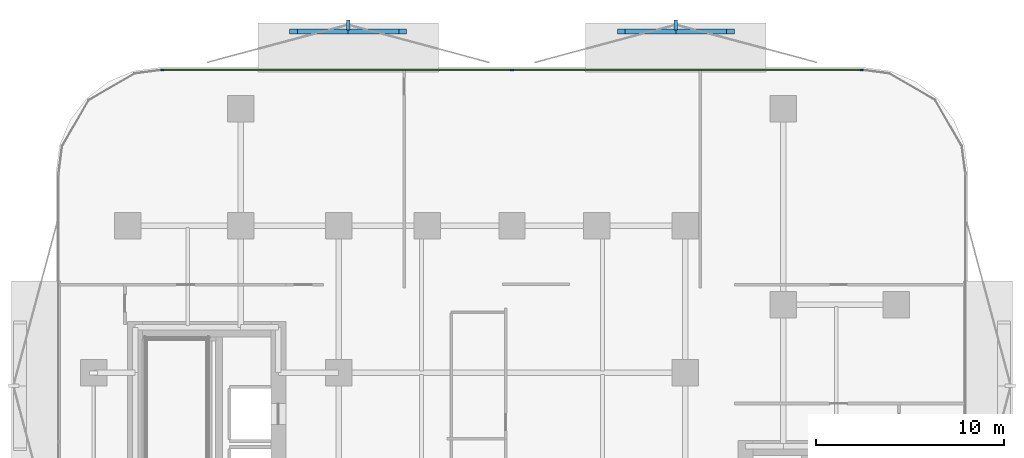
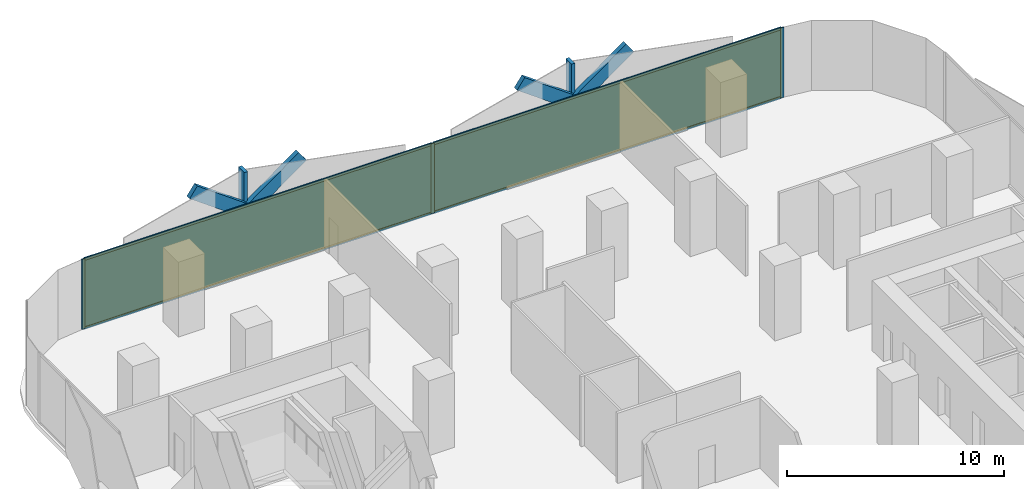
# One storey, part 11 of 16: 13 members, 2 plates, 1 curtain wall.
"""IFC4 building model written with IfcOpenShell, lengths in metres."""

from ifc_helpers import new_model, si_unit, direction, frame, frame_2d, origin, origin_2d, place, context, subcontext, project, spatial, rectangle, extrude, material, layer, layer_set, material_profile, profile_set, type_object, element, aggregate, save


model = new_model("IFC4")

# Units and contexts
model_context = context("Model", 3, precision=1e-05, world=origin(), true_north=direction((0.0, 1.0)))
body_context = subcontext(model_context, "Body", "Model", "MODEL_VIEW")
ifc_project = project(units=[si_unit("LENGTHUNIT", "METRE"), si_unit("AREAUNIT", "SQUARE_METRE"), si_unit("VOLUMEUNIT", "CUBIC_METRE"), si_unit("PLANEANGLEUNIT", "RADIAN"), si_unit("MASSUNIT", "GRAM", prefix="KILO")], contexts=[model_context])

# Member
ifc_material_1 = material(Name="Anodised Bronze Aluminium 6063-T6", Category="aluminium")
ifc_material_profile_1 = material_profile(ifc_material_1, rectangle(XDim=0.260009765625, YDim=0.699951171875, at=origin_2d()))
ifc_profile_set_1 = profile_set([ifc_material_profile_1], Name="Anodised Bronze Aluminium 6063-T6")
member_type_1 = type_object("IfcMemberType", Name="Bronze Diamond Solar-Screen Lattice Rib BDL-700", PredefinedType="MULLION", material=ifc_profile_set_1)
site_placement = place(None, origin())
building_placement = place(site_placement, origin())
storey_placement = place(building_placement, frame((0.0, 0.0, 42.800048828125)))
member_1_placement = place(storey_placement, frame((-11.593994140625, 28.89990234375, -0.130126953125), z_axis=(0.809790703172, 0.0, 0.586718856912), x_axis=(0.0, 1.0, 0.0)))
member_1 = element("IfcMember", 1, at=member_1_placement, type_object=member_type_1, Name="L10 Bronze Diamond Solar Screen Lattice Rib 37A", PredefinedType="MULLION", context=body_context, shape_type="SweptSolid", body=[
    extrude(rectangle(XDim=0.260009765625, YDim=0.699951171875, at=origin_2d()), origin(), (0.0, 0.0, 1.0), 7.15869140625),
])

member_2_placement = place(storey_placement, frame((-5.796875, 28.89990234375, -0.130126953125), z_axis=(-0.809790703172, 0.0, 0.586718856912), x_axis=(0.0, -1.0, 0.0)))
member_2 = element("IfcMember", 2, at=member_2_placement, type_object=member_type_1, Name="L10 Bronze Diamond Solar Screen Lattice Rib 37B", PredefinedType="MULLION", context=body_context, shape_type="SweptSolid", body=[
    extrude(rectangle(XDim=0.260009765625, YDim=0.699951171875, at=origin_2d()), origin(), (0.0, 0.0, 1.0), 7.15869140625),
])

member_3_placement = place(storey_placement, frame((5.796875, 28.89990234375, -0.130126953125), z_axis=(0.809790703172, 0.0, 0.586718856912), x_axis=(0.0, 1.0, 0.0)))
member_3 = element("IfcMember", 3, at=member_3_placement, type_object=member_type_1, Name="L10 Bronze Diamond Solar Screen Lattice Rib 38A", PredefinedType="MULLION", context=body_context, shape_type="SweptSolid", body=[
    extrude(rectangle(XDim=0.260009765625, YDim=0.699951171875, at=origin_2d()), origin(), (0.0, 0.0, 1.0), 7.15869140625),
])

member_4_placement = place(storey_placement, frame((11.593994140625, 28.89990234375, -0.130126953125), z_axis=(-0.809790703172, 0.0, 0.586718856912), x_axis=(0.0, -1.0, 0.0)))
member_4 = element("IfcMember", 4, at=member_4_placement, type_object=member_type_1, Name="L10 Bronze Diamond Solar Screen Lattice Rib 38B", PredefinedType="MULLION", context=body_context, shape_type="SweptSolid", body=[
    extrude(rectangle(XDim=0.260009765625, YDim=0.699951171875, at=origin_2d()), origin(), (0.0, 0.0, 1.0), 7.15869140625),
])

ifc_material_2 = material(Name="Anodised Bronze Aluminium 6063-T6", Category="aluminium")
ifc_material_profile_2 = material_profile(ifc_material_2, rectangle(XDim=0.179931640625, YDim=0.5400390625, at=origin_2d()))
ifc_profile_set_2 = profile_set([ifc_material_profile_2], Name="Anodised Bronze Aluminium 6063-T6")
member_type_2 = type_object("IfcMemberType", Name="Bronze Solar-Screen Vertical Fold Fin BSF-540", PredefinedType="MULLION", material=ifc_profile_set_2)
member_5_placement = place(storey_placement, frame((-8.6953125, 29.239990234375, -0.130126953125), z_axis=(0.0, 0.0, 1.0), x_axis=(1.0, 0.0, 0.0)))
member_5 = element("IfcMember", 5, at=member_5_placement, type_object=member_type_2, Name="L10 Bronze Solar Screen Vertical Fin 37", PredefinedType="MULLION", context=body_context, shape_type="SweptSolid", body=[
    extrude(rectangle(XDim=0.179931640625, YDim=0.5400390625, at=origin_2d()), origin(), (0.0, 0.0, 1.0), 4.2001953125),
])

member_6_placement = place(storey_placement, frame((8.6953125, 29.239990234375, -0.130126953125), z_axis=(0.0, 0.0, 1.0), x_axis=(1.0, 0.0, 0.0)))
member_6 = element("IfcMember", 6, at=member_6_placement, type_object=member_type_2, Name="L10 Bronze Solar Screen Vertical Fin 38", PredefinedType="MULLION", context=body_context, shape_type="SweptSolid", body=[
    extrude(rectangle(XDim=0.179931640625, YDim=0.5400390625, at=origin_2d()), origin(), (0.0, 0.0, 1.0), 4.2001953125),
])

ifc_material_3 = material(Name="Anodised Bronze Aluminium 6063-T6", Category="aluminium")
ifc_material_profile_3 = material_profile(ifc_material_3, rectangle(XDim=0.06494140625, YDim=0.179931640625, at=origin_2d()))
ifc_profile_set_3 = profile_set([ifc_material_profile_3], Name="Anodised Bronze Aluminium 6063-T6")
member_type_3 = type_object("IfcMemberType", Name="CW-Z1 Mullion 65x180", PredefinedType="MULLION", material=ifc_profile_set_3)
member_7_placement = place(storey_placement, frame((-18.558349609375, 26.860107421875, 0.0), z_axis=(0.0, 0.0, 1.0), x_axis=(0.0, 1.0, 0.0)))
member_7 = element("IfcMember", 7, at=member_7_placement, type_object=member_type_3, Name="CW-Z1 mullion 1", PredefinedType="MULLION", context=body_context, shape_type="SweptSolid", body=[
    extrude(rectangle(XDim=0.06494140625, YDim=0.179931640625, at=origin_2d()), origin(), (0.0, 0.0, 1.0), 3.93994140625),
])

member_8_placement = place(storey_placement, frame((0.0, 26.860107421875, 0.0), z_axis=(0.0, 0.0, 1.0), x_axis=(0.0, 1.0, 0.0)))
member_8 = element("IfcMember", 8, at=member_8_placement, type_object=member_type_3, Name="CW-Z1 mullion 2", PredefinedType="MULLION", context=body_context, shape_type="SweptSolid", body=[
    extrude(rectangle(XDim=0.06494140625, YDim=0.179931640625, at=origin_2d()), origin(), (0.0, 0.0, 1.0), 3.93994140625),
])

member_9_placement = place(storey_placement, frame((18.558349609375, 26.860107421875, 0.0), z_axis=(0.0, 0.0, 1.0), x_axis=(0.0, 1.0, 0.0)))
member_9 = element("IfcMember", 9, at=member_9_placement, type_object=member_type_3, Name="CW-Z1 mullion 3", PredefinedType="MULLION", context=body_context, shape_type="SweptSolid", body=[
    extrude(rectangle(XDim=0.06494140625, YDim=0.179931640625, at=origin_2d()), origin(), (0.0, 0.0, 1.0), 3.93994140625),
])

ifc_material_4 = material(Name="Anodised Bronze Aluminium 6063-T6", Category="aluminium")
ifc_material_profile_4 = material_profile(ifc_material_4, rectangle(XDim=0.06494140625, YDim=0.139892578125, at=origin_2d()))
ifc_profile_set_4 = profile_set([ifc_material_profile_4], Name="Anodised Bronze Aluminium 6063-T6")
member_type_4 = type_object("IfcMemberType", Name="CW-Z1 Transom 65x140", PredefinedType="USERDEFINED", material=ifc_profile_set_4)
member_10_placement = place(storey_placement, frame((-18.52587890625, 26.860107421875, 0.032470703125), z_axis=(1.0, 0.0, 0.0), x_axis=(0.0, 1.0, 0.0)))
member_10 = element("IfcMember", 10, at=member_10_placement, type_object=member_type_4, Name="CW-Z1 transom 1.1", ObjectType="TRANSOM", PredefinedType="USERDEFINED", context=body_context, shape_type="SweptSolid", body=[
    extrude(rectangle(XDim=0.06494140625, YDim=0.139892578125, at=origin_2d()), origin(), (0.0, 0.0, 1.0), 18.493408203125),
])

member_11_placement = place(storey_placement, frame((-18.52587890625, 26.860107421875, 3.907470703125), z_axis=(1.0, 0.0, 0.0), x_axis=(0.0, 1.0, 0.0)))
member_11 = element("IfcMember", 11, at=member_11_placement, type_object=member_type_4, Name="CW-Z1 transom 1.2", ObjectType="TRANSOM", PredefinedType="USERDEFINED", context=body_context, shape_type="SweptSolid", body=[
    extrude(rectangle(XDim=0.06494140625, YDim=0.139892578125, at=origin_2d()), origin(), (0.0, 0.0, 1.0), 18.493408203125),
])

member_12_placement = place(storey_placement, frame((0.032470703125, 26.860107421875, 0.032470703125), z_axis=(1.0, 0.0, 0.0), x_axis=(0.0, 1.0, 0.0)))
member_12 = element("IfcMember", 12, at=member_12_placement, type_object=member_type_4, Name="CW-Z1 transom 2.1", ObjectType="TRANSOM", PredefinedType="USERDEFINED", context=body_context, shape_type="SweptSolid", body=[
    extrude(rectangle(XDim=0.06494140625, YDim=0.139892578125, at=origin_2d()), origin(), (0.0, 0.0, 1.0), 18.493408203125),
])

member_13_placement = place(storey_placement, frame((0.032470703125, 26.860107421875, 3.907470703125), z_axis=(1.0, 0.0, 0.0), x_axis=(0.0, 1.0, 0.0)))
member_13 = element("IfcMember", 13, at=member_13_placement, type_object=member_type_4, Name="CW-Z1 transom 2.2", ObjectType="TRANSOM", PredefinedType="USERDEFINED", context=body_context, shape_type="SweptSolid", body=[
    extrude(rectangle(XDim=0.06494140625, YDim=0.139892578125, at=origin_2d()), origin(), (0.0, 0.0, 1.0), 18.493408203125),
])

# Plate
ifc_material_5 = material(Name="Low-E Solar Control Laminated Glass", Category="glass")
ifc_layer_1 = layer(ifc_material_5, 0.028076171875, Name="Low-E Solar Control Laminated Glass")
ifc_layer_set_1 = layer_set([ifc_layer_1], Name="Low-E Solar Control Laminated Glass")
plate_type = type_object("IfcPlateType", Name="CW-Z1 Low-E Double Glazed Panel 28mm", PredefinedType="CURTAIN_PANEL", material=ifc_layer_set_1)
plate_1_placement = place(storey_placement, frame((-9.279052734375, 26.860107421875, 0.06494140625), z_axis=(0.0, 0.0, 1.0), x_axis=(1.0, 0.0, 0.0)))
plate_1 = element("IfcPlate", 14, at=plate_1_placement, type_object=plate_type, Name="CW-Z1 panel 1.1", PredefinedType="CURTAIN_PANEL", context=body_context, shape_type="SweptSolid", body=[
    extrude(rectangle(XDim=18.493408203125, YDim=0.028076171875, at=origin_2d()), origin(), (0.0, 0.0, 1.0), 3.81005859375),
])

plate_2_placement = place(storey_placement, frame((9.279052734375, 26.860107421875, 0.06494140625), z_axis=(0.0, 0.0, 1.0), x_axis=(1.0, 0.0, 0.0)))
plate_2 = element("IfcPlate", 15, at=plate_2_placement, type_object=plate_type, Name="CW-Z1 panel 2.1", PredefinedType="CURTAIN_PANEL", context=body_context, shape_type="SweptSolid", body=[
    extrude(rectangle(XDim=18.493408203125, YDim=0.028076171875, at=origin_2d()), origin(), (0.0, 0.0, 1.0), 3.81005859375),
])

# Site, building, storey
site = spatial("IfcSite", under=ifc_project, at=site_placement, CompositionType="ELEMENT")
building = spatial("IfcBuilding", under=site, at=building_placement, Name="Khairoan Windgate Tower", CompositionType="ELEMENT")
storey = spatial("IfcBuildingStorey", under=building, at=storey_placement, Name="L10", CompositionType="ELEMENT", Elevation=42.800048828125)

# Curtain wall
ifc_material_6 = material(Name="Anodised Bronze Aluminium 6063-T6", Category="aluminium")
ifc_layer_2 = layer(ifc_material_6, 0.179931640625, Name="Anodised Bronze Aluminium 6063-T6")
ifc_layer_set_2 = layer_set([ifc_layer_2], Name="Anodised Bronze Aluminium 6063-T6")
curtain_wall_type = type_object("IfcCurtainWallType", Name="Low-Rise Office Unitised Curtain Wall CW-Z1", PredefinedType="NOTDEFINED", material=ifc_layer_set_2)
curtain_wall_placement = place(storey_placement, frame((-18.5908203125, 26.860107421875, 0.0), z_axis=(0.0, 0.0, 1.0), x_axis=(1.0, 0.0, 0.0)))
curtain_wall = element("IfcCurtainWall", 16, at=curtain_wall_placement, inside=storey, type_object=curtain_wall_type, Name="L10 Unitised Curtain Wall 11", PredefinedType="NOTDEFINED", context=body_context, shape_type="SweptSolid", body=[
    extrude(rectangle(XDim=37.181640625, YDim=0.010009765625, at=frame_2d((18.5908203125, 0.0))), origin(), (0.0, 0.0, 1.0), 3.93994140625),
])

aggregate(curtain_wall, [member_7, member_8, member_9, member_10, member_11, plate_1, member_12, member_13, plate_2, member_1, member_2, member_5, member_3, member_4, member_6])

save(model, "model.ifc")
